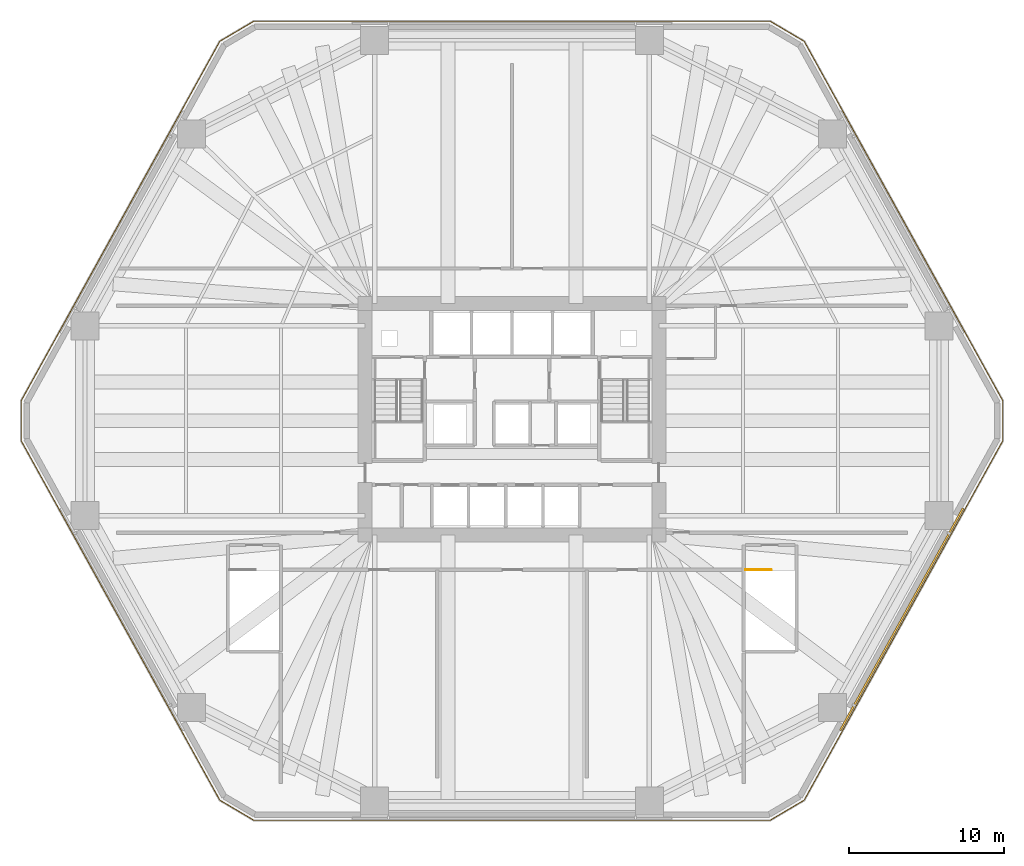
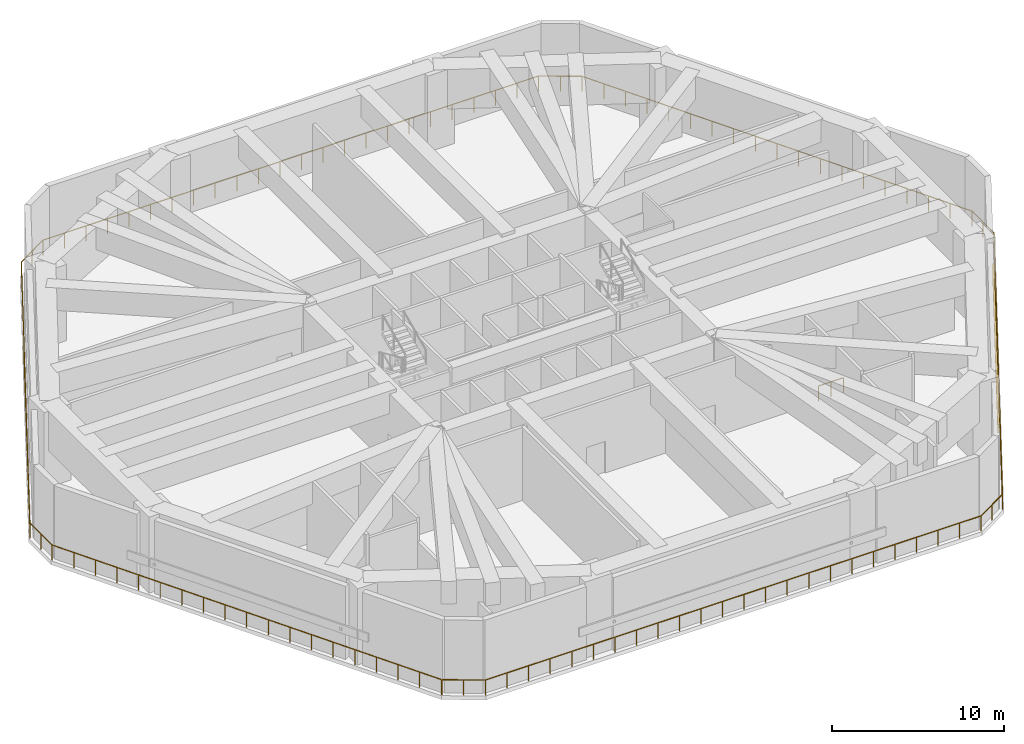
# One storey, part 10 of 12: 2 railings, 1 shading device.
"""IFC4 building model written with IfcOpenShell, lengths in metres."""

from ifc_helpers import new_model, si_unit, direction, frame, origin, origin_2d, place, context, subcontext, project, spatial, rectangle, extrude, material, layer, layer_set, type_object, element, save


model = new_model("IFC4")

# Units and contexts
model_context = context("Model", 3, precision=1e-05, world=origin(), true_north=direction((0.0, 1.0)))
body_context = subcontext(model_context, "Body", "Model", "MODEL_VIEW")
ifc_project = project(units=[si_unit("LENGTHUNIT", "METRE"), si_unit("AREAUNIT", "SQUARE_METRE"), si_unit("VOLUMEUNIT", "CUBIC_METRE"), si_unit("PLANEANGLEUNIT", "RADIAN"), si_unit("MASSUNIT", "GRAM", prefix="KILO")], contexts=[model_context])

# Site, building, storey
site_placement = place(None, origin())
site = spatial("IfcSite", under=ifc_project, at=site_placement, CompositionType="ELEMENT")
building_placement = place(site_placement, origin())
building = spatial("IfcBuilding", under=site, at=building_placement, Name="Cinnabar Lancet Tower", CompositionType="ELEMENT")
storey_placement = place(building_placement, frame((0.0, 0.0, 19.5)))
storey = spatial("IfcBuildingStorey", under=building, at=storey_placement, Name="L04", CompositionType="ELEMENT", Elevation=19.5)

# Railing
ifc_material_1 = material(Name="Laminated safety glass and bronze stainless steel balustrade", Category="steel")
railing_type_1 = type_object("IfcRailingType", Name="ENV-RLG-BAL-1100", PredefinedType="BALUSTRADE", material=ifc_material_1)
railing_1_placement = place(storey_placement, frame((13.590087890625, 1.37109375, 0.0)))
element("IfcRailing", 1, at=railing_1_placement, inside=storey, type_object=railing_type_1, Name="L04 Podium Refuge Perimeter Edge Balustrade", PredefinedType="BALUSTRADE", context=body_context, shape_type="SweptSolid", body=[
    extrude(rectangle(XDim=0.048095703125, YDim=0.048095703125, at=origin_2d()), frame((0.0, 0.0, 1.076171875), z_axis=(0.86125159245, -0.508178801705, 0.0), x_axis=(0.508178801705, 0.86125159245, 0.0)), (0.0, 0.0, 1.0), 2.54052734375),
    extrude(rectangle(XDim=0.048095703125, YDim=0.048095703125, at=origin_2d()), frame((2.18798828125, -1.291015625, 1.076171875), z_axis=(1.0, 0.0, 0.0), x_axis=(0.0, 1.0, 0.0)), (0.0, 0.0, 1.0), 33.243896484375),
    extrude(rectangle(XDim=0.048095703125, YDim=0.048095703125, at=origin_2d()), frame((35.431884765625, -1.291015625, 1.076171875), z_axis=(0.86125159245, 0.508178801705, 0.0), x_axis=(-0.508178801705, 0.86125159245, 0.0)), (0.0, 0.0, 1.0), 2.54052734375),
    extrude(rectangle(XDim=0.048095703125, YDim=0.048095703125, at=origin_2d()), frame((37.619873046875, 0.0, 1.076171875), z_axis=(0.483655391037, 0.875258511938, 0.0), x_axis=(-0.875258511938, 0.483655391037, 0.0)), (0.0, 0.0, 1.0), 26.434326171875),
    extrude(rectangle(XDim=0.048095703125, YDim=0.048095703125, at=origin_2d()), frame((50.405029296875, 23.136962890625, 1.076171875), z_axis=(0.0, 1.0, 0.0), x_axis=(-1.0, 0.0, 0.0)), (0.0, 0.0, 1.0), 2.583984375),
    extrude(rectangle(XDim=0.048095703125, YDim=0.048095703125, at=origin_2d()), frame((50.405029296875, 25.720947265625, 1.076171875), z_axis=(-0.483655391037, 0.875258511938, 0.0), x_axis=(-0.875258511938, -0.483655391037, 0.0)), (0.0, 0.0, 1.0), 26.434326171875),
    extrude(rectangle(XDim=0.048095703125, YDim=0.048095703125, at=origin_2d()), frame((37.619873046875, 48.85791015625, 1.076171875), z_axis=(-0.86125159245, 0.508178801705, 0.0), x_axis=(-0.508178801705, -0.86125159245, 0.0)), (0.0, 0.0, 1.0), 2.54052734375),
    extrude(rectangle(XDim=0.048095703125, YDim=0.048095703125, at=origin_2d()), frame((35.431884765625, 50.14892578125, 1.076171875), z_axis=(-1.0, 0.0, 0.0), x_axis=(0.0, -1.0, 0.0)), (0.0, 0.0, 1.0), 33.243896484375),
    extrude(rectangle(XDim=0.048095703125, YDim=0.048095703125, at=origin_2d()), frame((2.18798828125, 50.14892578125, 1.076171875), z_axis=(-0.86125159245, -0.508178801705, 0.0), x_axis=(0.508178801705, -0.86125159245, 0.0)), (0.0, 0.0, 1.0), 2.54052734375),
    extrude(rectangle(XDim=0.048095703125, YDim=0.048095703125, at=origin_2d()), frame((0.0, 48.85791015625, 1.076171875), z_axis=(-0.483655391037, -0.875258511938, 0.0), x_axis=(0.875258511938, -0.483655391037, 0.0)), (0.0, 0.0, 1.0), 26.434326171875),
    extrude(rectangle(XDim=0.048095703125, YDim=0.048095703125, at=origin_2d()), frame((-12.78515625, 25.720947265625, 1.076171875), z_axis=(0.0, -1.0, 0.0), x_axis=(1.0, 0.0, 0.0)), (0.0, 0.0, 1.0), 2.583984375),
    extrude(rectangle(XDim=0.048095703125, YDim=0.048095703125, at=origin_2d()), frame((-12.78515625, 23.136962890625, 1.076171875), z_axis=(0.483662616991, -0.87525451894, 0.0), x_axis=(0.87525451894, 0.483662616991, 0.0)), (0.0, 0.0, 1.0), 26.394775390625),
    extrude(rectangle(XDim=0.0419921875, YDim=0.0419921875, at=origin_2d()), origin(), (0.0, 0.0, 1.0), 1.052001953125),
    extrude(rectangle(XDim=0.0419921875, YDim=0.0419921875, at=origin_2d()), frame((1.093994140625, -0.6455078125, 0.0)), (0.0, 0.0, 1.0), 1.052001953125),
    extrude(rectangle(XDim=0.0419921875, YDim=0.0419921875, at=origin_2d()), frame((2.18798828125, -1.291015625, 0.0)), (0.0, 0.0, 1.0), 1.052001953125),
    extrude(rectangle(XDim=0.0419921875, YDim=0.0419921875, at=origin_2d()), frame((3.63330078125, -1.291015625, 0.0)), (0.0, 0.0, 1.0), 1.052001953125),
    extrude(rectangle(XDim=0.0419921875, YDim=0.0419921875, at=origin_2d()), frame((5.078857421875, -1.291015625, 0.0)), (0.0, 0.0, 1.0), 1.052001953125),
    extrude(rectangle(XDim=0.0419921875, YDim=0.0419921875, at=origin_2d()), frame((6.524169921875, -1.291015625, 0.0)), (0.0, 0.0, 1.0), 1.052001953125),
    extrude(rectangle(XDim=0.0419921875, YDim=0.0419921875, at=origin_2d()), frame((7.969482421875, -1.291015625, 0.0)), (0.0, 0.0, 1.0), 1.052001953125),
    extrude(rectangle(XDim=0.0419921875, YDim=0.0419921875, at=origin_2d()), frame((9.4150390625, -1.291015625, 0.0)), (0.0, 0.0, 1.0), 1.052001953125),
    extrude(rectangle(XDim=0.0419921875, YDim=0.0419921875, at=origin_2d()), frame((10.8603515625, -1.291015625, 0.0)), (0.0, 0.0, 1.0), 1.052001953125),
    extrude(rectangle(XDim=0.0419921875, YDim=0.0419921875, at=origin_2d()), frame((12.3056640625, -1.291015625, 0.0)), (0.0, 0.0, 1.0), 1.052001953125),
    extrude(rectangle(XDim=0.0419921875, YDim=0.0419921875, at=origin_2d()), frame((13.7509765625, -1.291015625, 0.0)), (0.0, 0.0, 1.0), 1.052001953125),
    extrude(rectangle(XDim=0.0419921875, YDim=0.0419921875, at=origin_2d()), frame((15.196533203125, -1.291015625, 0.0)), (0.0, 0.0, 1.0), 1.052001953125),
    extrude(rectangle(XDim=0.0419921875, YDim=0.0419921875, at=origin_2d()), frame((16.641845703125, -1.291015625, 0.0)), (0.0, 0.0, 1.0), 1.052001953125),
    extrude(rectangle(XDim=0.0419921875, YDim=0.0419921875, at=origin_2d()), frame((18.087158203125, -1.291015625, 0.0)), (0.0, 0.0, 1.0), 1.052001953125),
    extrude(rectangle(XDim=0.0419921875, YDim=0.0419921875, at=origin_2d()), frame((19.53271484375, -1.291015625, 0.0)), (0.0, 0.0, 1.0), 1.052001953125),
    extrude(rectangle(XDim=0.0419921875, YDim=0.0419921875, at=origin_2d()), frame((20.97802734375, -1.291015625, 0.0)), (0.0, 0.0, 1.0), 1.052001953125),
    extrude(rectangle(XDim=0.0419921875, YDim=0.0419921875, at=origin_2d()), frame((22.42333984375, -1.291015625, 0.0)), (0.0, 0.0, 1.0), 1.052001953125),
    extrude(rectangle(XDim=0.0419921875, YDim=0.0419921875, at=origin_2d()), frame((23.868896484375, -1.291015625, 0.0)), (0.0, 0.0, 1.0), 1.052001953125),
    extrude(rectangle(XDim=0.0419921875, YDim=0.0419921875, at=origin_2d()), frame((25.314208984375, -1.291015625, 0.0)), (0.0, 0.0, 1.0), 1.052001953125),
    extrude(rectangle(XDim=0.0419921875, YDim=0.0419921875, at=origin_2d()), frame((26.759521484375, -1.291015625, 0.0)), (0.0, 0.0, 1.0), 1.052001953125),
    extrude(rectangle(XDim=0.0419921875, YDim=0.0419921875, at=origin_2d()), frame((28.204833984375, -1.291015625, 0.0)), (0.0, 0.0, 1.0), 1.052001953125),
    extrude(rectangle(XDim=0.0419921875, YDim=0.0419921875, at=origin_2d()), frame((29.650390625, -1.291015625, 0.0)), (0.0, 0.0, 1.0), 1.052001953125),
    extrude(rectangle(XDim=0.0419921875, YDim=0.0419921875, at=origin_2d()), frame((31.095703125, -1.291015625, 0.0)), (0.0, 0.0, 1.0), 1.052001953125),
    extrude(rectangle(XDim=0.0419921875, YDim=0.0419921875, at=origin_2d()), frame((32.541015625, -1.291015625, 0.0)), (0.0, 0.0, 1.0), 1.052001953125),
    extrude(rectangle(XDim=0.0419921875, YDim=0.0419921875, at=origin_2d()), frame((33.986572265625, -1.291015625, 0.0)), (0.0, 0.0, 1.0), 1.052001953125),
    extrude(rectangle(XDim=0.0419921875, YDim=0.0419921875, at=origin_2d()), frame((35.431884765625, -1.291015625, 0.0)), (0.0, 0.0, 1.0), 1.052001953125),
    extrude(rectangle(XDim=0.0419921875, YDim=0.0419921875, at=origin_2d()), frame((36.52587890625, -0.6455078125, 0.0)), (0.0, 0.0, 1.0), 1.052001953125),
    extrude(rectangle(XDim=0.0419921875, YDim=0.0419921875, at=origin_2d()), frame((37.619873046875, 0.0, 0.0)), (0.0, 0.0, 1.0), 1.052001953125),
    extrude(rectangle(XDim=0.0419921875, YDim=0.0419921875, at=origin_2d()), frame((38.330078125, 1.285400390625, 0.0)), (0.0, 0.0, 1.0), 1.052001953125),
    extrude(rectangle(XDim=0.0419921875, YDim=0.0419921875, at=origin_2d()), frame((39.04052734375, 2.57080078125, 0.0)), (0.0, 0.0, 1.0), 1.052001953125),
    extrude(rectangle(XDim=0.0419921875, YDim=0.0419921875, at=origin_2d()), frame((39.750732421875, 3.856201171875, 0.0)), (0.0, 0.0, 1.0), 1.052001953125),
    extrude(rectangle(XDim=0.0419921875, YDim=0.0419921875, at=origin_2d()), frame((40.4609375, 5.1416015625, 0.0)), (0.0, 0.0, 1.0), 1.052001953125),
    extrude(rectangle(XDim=0.0419921875, YDim=0.0419921875, at=origin_2d()), frame((41.17138671875, 6.427001953125, 0.0)), (0.0, 0.0, 1.0), 1.052001953125),
    extrude(rectangle(XDim=0.0419921875, YDim=0.0419921875, at=origin_2d()), frame((41.881591796875, 7.71240234375, 0.0)), (0.0, 0.0, 1.0), 1.052001953125),
    extrude(rectangle(XDim=0.0419921875, YDim=0.0419921875, at=origin_2d()), frame((42.591796875, 8.997802734375, 0.0)), (0.0, 0.0, 1.0), 1.052001953125),
    extrude(rectangle(XDim=0.0419921875, YDim=0.0419921875, at=origin_2d()), frame((43.30224609375, 10.283203125, 0.0)), (0.0, 0.0, 1.0), 1.052001953125),
    extrude(rectangle(XDim=0.0419921875, YDim=0.0419921875, at=origin_2d()), frame((44.012451171875, 11.568359375, 0.0)), (0.0, 0.0, 1.0), 1.052001953125),
    extrude(rectangle(XDim=0.0419921875, YDim=0.0419921875, at=origin_2d()), frame((44.72265625, 12.853759765625, 0.0)), (0.0, 0.0, 1.0), 1.052001953125),
    extrude(rectangle(XDim=0.0419921875, YDim=0.0419921875, at=origin_2d()), frame((45.43310546875, 14.13916015625, 0.0)), (0.0, 0.0, 1.0), 1.052001953125),
    extrude(rectangle(XDim=0.0419921875, YDim=0.0419921875, at=origin_2d()), frame((46.143310546875, 15.424560546875, 0.0)), (0.0, 0.0, 1.0), 1.052001953125),
    extrude(rectangle(XDim=0.0419921875, YDim=0.0419921875, at=origin_2d()), frame((46.853515625, 16.7099609375, 0.0)), (0.0, 0.0, 1.0), 1.052001953125),
    extrude(rectangle(XDim=0.0419921875, YDim=0.0419921875, at=origin_2d()), frame((47.56396484375, 17.995361328125, 0.0)), (0.0, 0.0, 1.0), 1.052001953125),
    extrude(rectangle(XDim=0.0419921875, YDim=0.0419921875, at=origin_2d()), frame((48.274169921875, 19.28076171875, 0.0)), (0.0, 0.0, 1.0), 1.052001953125),
    extrude(rectangle(XDim=0.0419921875, YDim=0.0419921875, at=origin_2d()), frame((48.984375, 20.566162109375, 0.0)), (0.0, 0.0, 1.0), 1.052001953125),
    extrude(rectangle(XDim=0.0419921875, YDim=0.0419921875, at=origin_2d()), frame((49.69482421875, 21.8515625, 0.0)), (0.0, 0.0, 1.0), 1.052001953125),
    extrude(rectangle(XDim=0.0419921875, YDim=0.0419921875, at=origin_2d()), frame((50.405029296875, 23.136962890625, 0.0)), (0.0, 0.0, 1.0), 1.052001953125),
    extrude(rectangle(XDim=0.0419921875, YDim=0.0419921875, at=origin_2d()), frame((50.405029296875, 24.428955078125, 0.0)), (0.0, 0.0, 1.0), 1.052001953125),
    extrude(rectangle(XDim=0.0419921875, YDim=0.0419921875, at=origin_2d()), frame((50.405029296875, 25.720947265625, 0.0)), (0.0, 0.0, 1.0), 1.052001953125),
    extrude(rectangle(XDim=0.0419921875, YDim=0.0419921875, at=origin_2d()), frame((49.69482421875, 27.00634765625, 0.0)), (0.0, 0.0, 1.0), 1.052001953125),
    extrude(rectangle(XDim=0.0419921875, YDim=0.0419921875, at=origin_2d()), frame((48.984375, 28.291748046875, 0.0)), (0.0, 0.0, 1.0), 1.052001953125),
    extrude(rectangle(XDim=0.0419921875, YDim=0.0419921875, at=origin_2d()), frame((48.274169921875, 29.5771484375, 0.0)), (0.0, 0.0, 1.0), 1.052001953125),
    extrude(rectangle(XDim=0.0419921875, YDim=0.0419921875, at=origin_2d()), frame((47.56396484375, 30.862548828125, 0.0)), (0.0, 0.0, 1.0), 1.052001953125),
    extrude(rectangle(XDim=0.0419921875, YDim=0.0419921875, at=origin_2d()), frame((46.853515625, 32.14794921875, 0.0)), (0.0, 0.0, 1.0), 1.052001953125),
    extrude(rectangle(XDim=0.0419921875, YDim=0.0419921875, at=origin_2d()), frame((46.143310546875, 33.433349609375, 0.0)), (0.0, 0.0, 1.0), 1.052001953125),
    extrude(rectangle(XDim=0.0419921875, YDim=0.0419921875, at=origin_2d()), frame((45.43310546875, 34.71875, 0.0)), (0.0, 0.0, 1.0), 1.052001953125),
    extrude(rectangle(XDim=0.0419921875, YDim=0.0419921875, at=origin_2d()), frame((44.72265625, 36.004150390625, 0.0)), (0.0, 0.0, 1.0), 1.052001953125),
    extrude(rectangle(XDim=0.0419921875, YDim=0.0419921875, at=origin_2d()), frame((44.012451171875, 37.28955078125, 0.0)), (0.0, 0.0, 1.0), 1.052001953125),
    extrude(rectangle(XDim=0.0419921875, YDim=0.0419921875, at=origin_2d()), frame((43.30224609375, 38.57470703125, 0.0)), (0.0, 0.0, 1.0), 1.052001953125),
    extrude(rectangle(XDim=0.0419921875, YDim=0.0419921875, at=origin_2d()), frame((42.591796875, 39.860107421875, 0.0)), (0.0, 0.0, 1.0), 1.052001953125),
    extrude(rectangle(XDim=0.0419921875, YDim=0.0419921875, at=origin_2d()), frame((41.881591796875, 41.1455078125, 0.0)), (0.0, 0.0, 1.0), 1.052001953125),
    extrude(rectangle(XDim=0.0419921875, YDim=0.0419921875, at=origin_2d()), frame((41.17138671875, 42.430908203125, 0.0)), (0.0, 0.0, 1.0), 1.052001953125),
    extrude(rectangle(XDim=0.0419921875, YDim=0.0419921875, at=origin_2d()), frame((40.4609375, 43.71630859375, 0.0)), (0.0, 0.0, 1.0), 1.052001953125),
    extrude(rectangle(XDim=0.0419921875, YDim=0.0419921875, at=origin_2d()), frame((39.750732421875, 45.001708984375, 0.0)), (0.0, 0.0, 1.0), 1.052001953125),
    extrude(rectangle(XDim=0.0419921875, YDim=0.0419921875, at=origin_2d()), frame((39.04052734375, 46.287109375, 0.0)), (0.0, 0.0, 1.0), 1.052001953125),
    extrude(rectangle(XDim=0.0419921875, YDim=0.0419921875, at=origin_2d()), frame((38.330078125, 47.572509765625, 0.0)), (0.0, 0.0, 1.0), 1.052001953125),
    extrude(rectangle(XDim=0.0419921875, YDim=0.0419921875, at=origin_2d()), frame((37.619873046875, 48.85791015625, 0.0)), (0.0, 0.0, 1.0), 1.052001953125),
    extrude(rectangle(XDim=0.0419921875, YDim=0.0419921875, at=origin_2d()), frame((36.52587890625, 49.50341796875, 0.0)), (0.0, 0.0, 1.0), 1.052001953125),
    extrude(rectangle(XDim=0.0419921875, YDim=0.0419921875, at=origin_2d()), frame((35.431884765625, 50.14892578125, 0.0)), (0.0, 0.0, 1.0), 1.052001953125),
    extrude(rectangle(XDim=0.0419921875, YDim=0.0419921875, at=origin_2d()), frame((33.986572265625, 50.14892578125, 0.0)), (0.0, 0.0, 1.0), 1.052001953125),
    extrude(rectangle(XDim=0.0419921875, YDim=0.0419921875, at=origin_2d()), frame((32.541015625, 50.14892578125, 0.0)), (0.0, 0.0, 1.0), 1.052001953125),
    extrude(rectangle(XDim=0.0419921875, YDim=0.0419921875, at=origin_2d()), frame((31.095703125, 50.14892578125, 0.0)), (0.0, 0.0, 1.0), 1.052001953125),
    extrude(rectangle(XDim=0.0419921875, YDim=0.0419921875, at=origin_2d()), frame((29.650390625, 50.14892578125, 0.0)), (0.0, 0.0, 1.0), 1.052001953125),
    extrude(rectangle(XDim=0.0419921875, YDim=0.0419921875, at=origin_2d()), frame((28.204833984375, 50.14892578125, 0.0)), (0.0, 0.0, 1.0), 1.052001953125),
    extrude(rectangle(XDim=0.0419921875, YDim=0.0419921875, at=origin_2d()), frame((26.759521484375, 50.14892578125, 0.0)), (0.0, 0.0, 1.0), 1.052001953125),
    extrude(rectangle(XDim=0.0419921875, YDim=0.0419921875, at=origin_2d()), frame((25.314208984375, 50.14892578125, 0.0)), (0.0, 0.0, 1.0), 1.052001953125),
    extrude(rectangle(XDim=0.0419921875, YDim=0.0419921875, at=origin_2d()), frame((23.868896484375, 50.14892578125, 0.0)), (0.0, 0.0, 1.0), 1.052001953125),
    extrude(rectangle(XDim=0.0419921875, YDim=0.0419921875, at=origin_2d()), frame((22.42333984375, 50.14892578125, 0.0)), (0.0, 0.0, 1.0), 1.052001953125),
    extrude(rectangle(XDim=0.0419921875, YDim=0.0419921875, at=origin_2d()), frame((20.97802734375, 50.14892578125, 0.0)), (0.0, 0.0, 1.0), 1.052001953125),
    extrude(rectangle(XDim=0.0419921875, YDim=0.0419921875, at=origin_2d()), frame((19.53271484375, 50.14892578125, 0.0)), (0.0, 0.0, 1.0), 1.052001953125),
    extrude(rectangle(XDim=0.0419921875, YDim=0.0419921875, at=origin_2d()), frame((18.087158203125, 50.14892578125, 0.0)), (0.0, 0.0, 1.0), 1.052001953125),
    extrude(rectangle(XDim=0.0419921875, YDim=0.0419921875, at=origin_2d()), frame((16.641845703125, 50.14892578125, 0.0)), (0.0, 0.0, 1.0), 1.052001953125),
    extrude(rectangle(XDim=0.0419921875, YDim=0.0419921875, at=origin_2d()), frame((15.196533203125, 50.14892578125, 0.0)), (0.0, 0.0, 1.0), 1.052001953125),
    extrude(rectangle(XDim=0.0419921875, YDim=0.0419921875, at=origin_2d()), frame((13.7509765625, 50.14892578125, 0.0)), (0.0, 0.0, 1.0), 1.052001953125),
    extrude(rectangle(XDim=0.0419921875, YDim=0.0419921875, at=origin_2d()), frame((12.3056640625, 50.14892578125, 0.0)), (0.0, 0.0, 1.0), 1.052001953125),
    extrude(rectangle(XDim=0.0419921875, YDim=0.0419921875, at=origin_2d()), frame((10.8603515625, 50.14892578125, 0.0)), (0.0, 0.0, 1.0), 1.052001953125),
    extrude(rectangle(XDim=0.0419921875, YDim=0.0419921875, at=origin_2d()), frame((9.4150390625, 50.14892578125, 0.0)), (0.0, 0.0, 1.0), 1.052001953125),
    extrude(rectangle(XDim=0.0419921875, YDim=0.0419921875, at=origin_2d()), frame((7.969482421875, 50.14892578125, 0.0)), (0.0, 0.0, 1.0), 1.052001953125),
    extrude(rectangle(XDim=0.0419921875, YDim=0.0419921875, at=origin_2d()), frame((6.524169921875, 50.14892578125, 0.0)), (0.0, 0.0, 1.0), 1.052001953125),
    extrude(rectangle(XDim=0.0419921875, YDim=0.0419921875, at=origin_2d()), frame((5.078857421875, 50.14892578125, 0.0)), (0.0, 0.0, 1.0), 1.052001953125),
    extrude(rectangle(XDim=0.0419921875, YDim=0.0419921875, at=origin_2d()), frame((3.63330078125, 50.14892578125, 0.0)), (0.0, 0.0, 1.0), 1.052001953125),
    extrude(rectangle(XDim=0.0419921875, YDim=0.0419921875, at=origin_2d()), frame((2.18798828125, 50.14892578125, 0.0)), (0.0, 0.0, 1.0), 1.052001953125),
    extrude(rectangle(XDim=0.0419921875, YDim=0.0419921875, at=origin_2d()), frame((1.093994140625, 49.50341796875, 0.0)), (0.0, 0.0, 1.0), 1.052001953125),
    extrude(rectangle(XDim=0.0419921875, YDim=0.0419921875, at=origin_2d()), frame((0.0, 48.85791015625, 0.0)), (0.0, 0.0, 1.0), 1.052001953125),
    extrude(rectangle(XDim=0.0419921875, YDim=0.0419921875, at=origin_2d()), frame((-0.710205078125, 47.572509765625, 0.0)), (0.0, 0.0, 1.0), 1.052001953125),
    extrude(rectangle(XDim=0.0419921875, YDim=0.0419921875, at=origin_2d()), frame((-1.420654296875, 46.287109375, 0.0)), (0.0, 0.0, 1.0), 1.052001953125),
    extrude(rectangle(XDim=0.0419921875, YDim=0.0419921875, at=origin_2d()), frame((-2.130859375, 45.001708984375, 0.0)), (0.0, 0.0, 1.0), 1.052001953125),
    extrude(rectangle(XDim=0.0419921875, YDim=0.0419921875, at=origin_2d()), frame((-2.841064453125, 43.71630859375, 0.0)), (0.0, 0.0, 1.0), 1.052001953125),
    extrude(rectangle(XDim=0.0419921875, YDim=0.0419921875, at=origin_2d()), frame((-3.551513671875, 42.430908203125, 0.0)), (0.0, 0.0, 1.0), 1.052001953125),
    extrude(rectangle(XDim=0.0419921875, YDim=0.0419921875, at=origin_2d()), frame((-4.26171875, 41.1455078125, 0.0)), (0.0, 0.0, 1.0), 1.052001953125),
    extrude(rectangle(XDim=0.0419921875, YDim=0.0419921875, at=origin_2d()), frame((-4.971923828125, 39.860107421875, 0.0)), (0.0, 0.0, 1.0), 1.052001953125),
    extrude(rectangle(XDim=0.0419921875, YDim=0.0419921875, at=origin_2d()), frame((-5.682373046875, 38.57470703125, 0.0)), (0.0, 0.0, 1.0), 1.052001953125),
    extrude(rectangle(XDim=0.0419921875, YDim=0.0419921875, at=origin_2d()), frame((-6.392578125, 37.28955078125, 0.0)), (0.0, 0.0, 1.0), 1.052001953125),
    extrude(rectangle(XDim=0.0419921875, YDim=0.0419921875, at=origin_2d()), frame((-7.102783203125, 36.004150390625, 0.0)), (0.0, 0.0, 1.0), 1.052001953125),
    extrude(rectangle(XDim=0.0419921875, YDim=0.0419921875, at=origin_2d()), frame((-7.813232421875, 34.71875, 0.0)), (0.0, 0.0, 1.0), 1.052001953125),
    extrude(rectangle(XDim=0.0419921875, YDim=0.0419921875, at=origin_2d()), frame((-8.5234375, 33.433349609375, 0.0)), (0.0, 0.0, 1.0), 1.052001953125),
    extrude(rectangle(XDim=0.0419921875, YDim=0.0419921875, at=origin_2d()), frame((-9.233642578125, 32.14794921875, 0.0)), (0.0, 0.0, 1.0), 1.052001953125),
    extrude(rectangle(XDim=0.0419921875, YDim=0.0419921875, at=origin_2d()), frame((-9.944091796875, 30.862548828125, 0.0)), (0.0, 0.0, 1.0), 1.052001953125),
    extrude(rectangle(XDim=0.0419921875, YDim=0.0419921875, at=origin_2d()), frame((-10.654296875, 29.5771484375, 0.0)), (0.0, 0.0, 1.0), 1.052001953125),
    extrude(rectangle(XDim=0.0419921875, YDim=0.0419921875, at=origin_2d()), frame((-11.364501953125, 28.291748046875, 0.0)), (0.0, 0.0, 1.0), 1.052001953125),
    extrude(rectangle(XDim=0.0419921875, YDim=0.0419921875, at=origin_2d()), frame((-12.074951171875, 27.00634765625, 0.0)), (0.0, 0.0, 1.0), 1.052001953125),
    extrude(rectangle(XDim=0.0419921875, YDim=0.0419921875, at=origin_2d()), frame((-12.78515625, 25.720947265625, 0.0)), (0.0, 0.0, 1.0), 1.052001953125),
    extrude(rectangle(XDim=0.0419921875, YDim=0.0419921875, at=origin_2d()), frame((-12.78515625, 24.428955078125, 0.0)), (0.0, 0.0, 1.0), 1.052001953125),
    extrude(rectangle(XDim=0.0419921875, YDim=0.0419921875, at=origin_2d()), frame((-12.78515625, 23.136962890625, 0.0)), (0.0, 0.0, 1.0), 1.052001953125),
    extrude(rectangle(XDim=0.0419921875, YDim=0.0419921875, at=origin_2d()), frame((-12.075927734375, 21.853515625, 0.0)), (0.0, 0.0, 1.0), 1.052001953125),
    extrude(rectangle(XDim=0.0419921875, YDim=0.0419921875, at=origin_2d()), frame((-11.36669921875, 20.570068359375, 0.0)), (0.0, 0.0, 1.0), 1.052001953125),
    extrude(rectangle(XDim=0.0419921875, YDim=0.0419921875, at=origin_2d()), frame((-10.657470703125, 19.28662109375, 0.0)), (0.0, 0.0, 1.0), 1.052001953125),
    extrude(rectangle(XDim=0.0419921875, YDim=0.0419921875, at=origin_2d()), frame((-9.9482421875, 18.003173828125, 0.0)), (0.0, 0.0, 1.0), 1.052001953125),
    extrude(rectangle(XDim=0.0419921875, YDim=0.0419921875, at=origin_2d()), frame((-9.239013671875, 16.7197265625, 0.0)), (0.0, 0.0, 1.0), 1.052001953125),
    extrude(rectangle(XDim=0.0419921875, YDim=0.0419921875, at=origin_2d()), frame((-8.52978515625, 15.436279296875, 0.0)), (0.0, 0.0, 1.0), 1.052001953125),
    extrude(rectangle(XDim=0.0419921875, YDim=0.0419921875, at=origin_2d()), frame((-7.820556640625, 14.15283203125, 0.0)), (0.0, 0.0, 1.0), 1.052001953125),
    extrude(rectangle(XDim=0.0419921875, YDim=0.0419921875, at=origin_2d()), frame((-7.111328125, 12.869384765625, 0.0)), (0.0, 0.0, 1.0), 1.052001953125),
    extrude(rectangle(XDim=0.0419921875, YDim=0.0419921875, at=origin_2d()), frame((-6.402099609375, 11.5859375, 0.0)), (0.0, 0.0, 1.0), 1.052001953125),
    extrude(rectangle(XDim=0.0419921875, YDim=0.0419921875, at=origin_2d()), frame((-5.69287109375, 10.302490234375, 0.0)), (0.0, 0.0, 1.0), 1.052001953125),
    extrude(rectangle(XDim=0.0419921875, YDim=0.0419921875, at=origin_2d()), frame((-4.983642578125, 9.01904296875, 0.0)), (0.0, 0.0, 1.0), 1.052001953125),
    extrude(rectangle(XDim=0.0419921875, YDim=0.0419921875, at=origin_2d()), frame((-4.2744140625, 7.735595703125, 0.0)), (0.0, 0.0, 1.0), 1.052001953125),
    extrude(rectangle(XDim=0.0419921875, YDim=0.0419921875, at=origin_2d()), frame((-3.565185546875, 6.4521484375, 0.0)), (0.0, 0.0, 1.0), 1.052001953125),
    extrude(rectangle(XDim=0.0419921875, YDim=0.0419921875, at=origin_2d()), frame((-2.85595703125, 5.168701171875, 0.0)), (0.0, 0.0, 1.0), 1.052001953125),
    extrude(rectangle(XDim=0.0419921875, YDim=0.0419921875, at=origin_2d()), frame((-2.146728515625, 3.88525390625, 0.0)), (0.0, 0.0, 1.0), 1.052001953125),
    extrude(rectangle(XDim=0.0419921875, YDim=0.0419921875, at=origin_2d()), frame((-1.4375, 2.601806640625, 0.0)), (0.0, 0.0, 1.0), 1.052001953125),
    extrude(rectangle(XDim=0.0419921875, YDim=0.0419921875, at=origin_2d()), frame((-0.728271484375, 1.318359375, 0.0)), (0.0, 0.0, 1.0), 1.052001953125),
    extrude(rectangle(XDim=0.0419921875, YDim=0.0419921875, at=origin_2d()), frame((-0.01904296875, 0.034912109375, 0.0)), (0.0, 0.0, 1.0), 1.052001953125),
])

# Shading device
ifc_material_2 = material(Name="Anodized acoustic plant weather louvre", Category="aluminium")
ifc_layer = layer(ifc_material_2, 0.094970703125)
ifc_layer_set = layer_set([ifc_layer], Name="Anodized acoustic plant weather louvre")
shading_device_type = type_object("IfcShadingDeviceType", Name="ENV-SHD-LVR-600", PredefinedType="JALOUSIE", material=ifc_layer_set)
shading_device_placement = place(storey_placement, frame((57.485107421875, 13.01611328125, 1.849853515625), z_axis=(0.0, 0.0, 1.0), x_axis=(0.483694882518, 0.875236688345, 0.0)))
element("IfcShadingDevice", 2, at=shading_device_placement, inside=storey, type_object=shading_device_type, Name="L04 Face 2 Acoustic Plant Weather Louvre", PredefinedType="JALOUSIE", context=body_context, shape_type="SweptSolid", body=[
    extrude(rectangle(XDim=16.33203125, YDim=0.1201171875, at=origin_2d()), origin(), (0.0, 0.0, 1.0), 0.60009765625),
])

# Railing
ifc_material_3 = material(Name="Painted galvanized steel balustrade", Category="steel")
railing_type_2 = type_object("IfcRailingType", Name="GUARD-STAIR", PredefinedType="GUARDRAIL", material=ifc_material_3)
railing_2_placement = place(storey_placement, frame((47.425048828125, 16.199951171875, 0.0)))
element("IfcRailing", 3, at=railing_2_placement, inside=storey, type_object=railing_type_2, Name="L04 ST-4 top well guard 1", PredefinedType="GUARDRAIL", context=body_context, shape_type="SweptSolid", body=[
    extrude(rectangle(XDim=0.048095703125, YDim=0.048095703125, at=origin_2d()), frame((0.0, 0.0, 1.076171875), z_axis=(1.0, 0.0, 0.0), x_axis=(0.0, 1.0, 0.0)), (0.0, 0.0, 1.0), 1.669921875),
    extrude(rectangle(XDim=0.0419921875, YDim=0.0419921875, at=origin_2d()), origin(), (0.0, 0.0, 1.0), 1.052001953125),
    extrude(rectangle(XDim=0.0419921875, YDim=0.0419921875, at=origin_2d()), frame((0.8349609375, 0.0, 0.0)), (0.0, 0.0, 1.0), 1.052001953125),
    extrude(rectangle(XDim=0.0419921875, YDim=0.0419921875, at=origin_2d()), frame((1.669921875, 0.0, 0.0)), (0.0, 0.0, 1.0), 1.052001953125),
])

save(model, "model.ifc")
